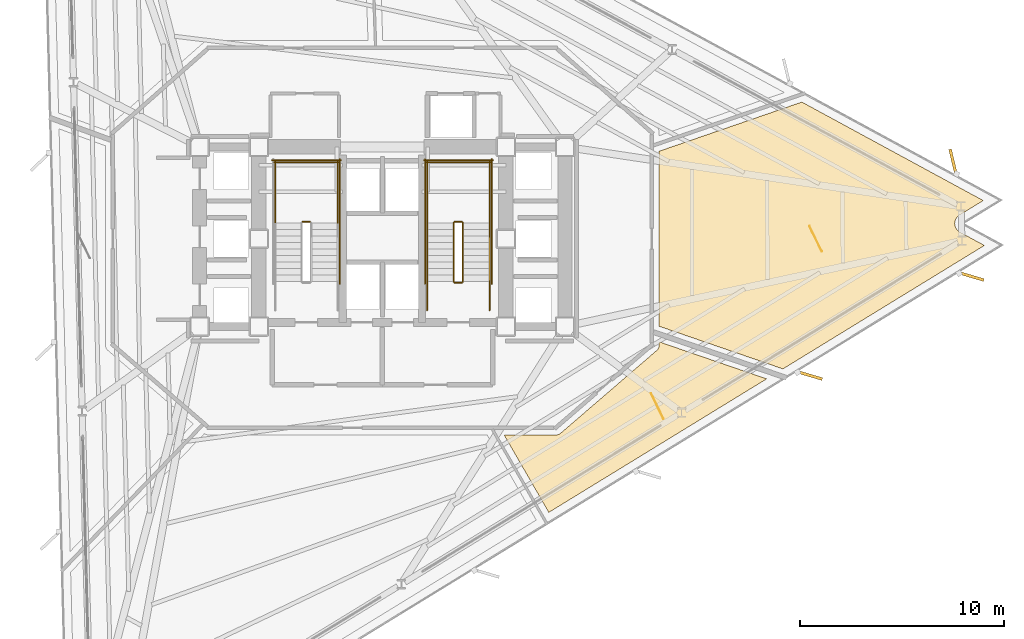
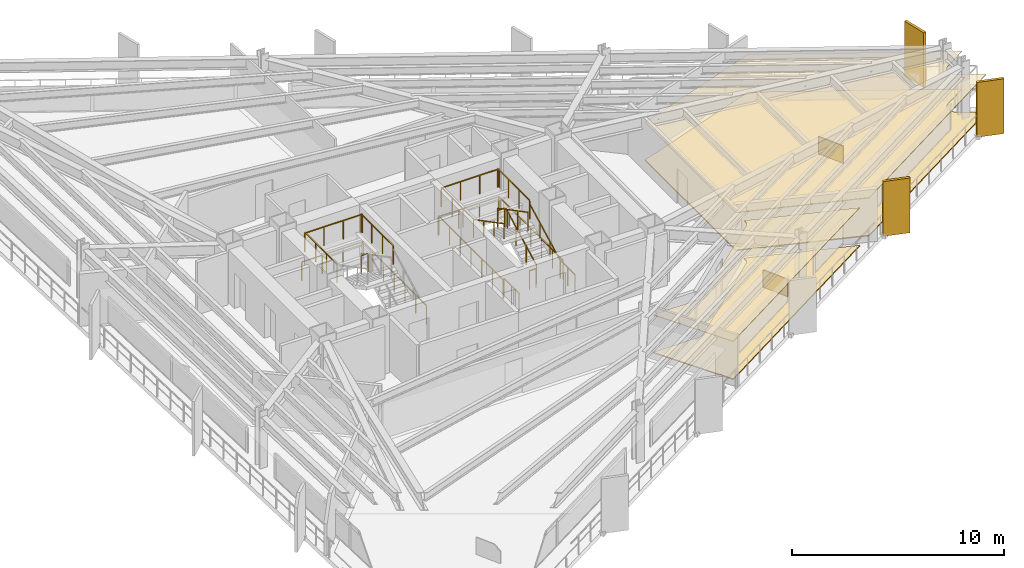
# One storey, part 13 of 14: 20 railings, 6 coverings, 3 shading devices.
"""IFC4 building model written with IfcOpenShell, lengths in metres."""

from ifc_helpers import new_model, si_unit, direction, frame, origin, origin_2d, place, context, subcontext, project, spatial, polyline, rectangle, outline, extrude, material, layer, layer_set, type_object, element, save


model = new_model("IFC4")

# Units and contexts
model_context = context("Model", 3, precision=1e-05, world=origin(), true_north=direction((0.0, 1.0)))
body_context = subcontext(model_context, "Body", "Model", "MODEL_VIEW")
ifc_project = project(units=[si_unit("LENGTHUNIT", "METRE"), si_unit("AREAUNIT", "SQUARE_METRE"), si_unit("VOLUMEUNIT", "CUBIC_METRE"), si_unit("PLANEANGLEUNIT", "RADIAN"), si_unit("MASSUNIT", "GRAM", prefix="KILO")], contexts=[model_context])

# Site, building, storey
site_placement = place(None, origin())
site = spatial("IfcSite", under=ifc_project, at=site_placement, CompositionType="ELEMENT")
building_placement = place(site_placement, origin())
building = spatial("IfcBuilding", under=site, at=building_placement, Name="Rocaltana Carrier Exchange", CompositionType="ELEMENT")
storey_placement = place(building_placement, frame((0.0, 0.0, 42.39990234375)))
storey = spatial("IfcBuildingStorey", under=building, at=storey_placement, Name="L13", CompositionType="ELEMENT", Elevation=42.39990234375)

# Coverings
ifc_material_1 = material(Name="Calcium Sulphate & Aluminium Pedestal", Category="aluminium")
ifc_layer_1 = layer(ifc_material_1, 0.06005859375)
ifc_layer_set_1 = layer_set([ifc_layer_1], Name="Calcium Sulphate & Aluminium Pedestal")
covering_type_1 = type_object("IfcCoveringType", Name="Anti-Static Raised Exchange Access Floor 60", PredefinedType="FLOORING", material=ifc_layer_set_1)
covering_1_placement = place(storey_placement, origin())
element("IfcCovering", 1, at=covering_1_placement, inside=storey, type_object=covering_type_1, Name="L13 Cloud Architecture Office Finish Floor", PredefinedType="FLOORING", context=body_context, shape_type="SweptSolid", body=[
    extrude(outline(polyline([(8.152587890625, -13.40087890625), (5.964111328125, -9.610107421875), (8.5, -9.610107421875), (8.51416015625, -9.609619140625), (8.522216796875, -9.609130859375), (8.550537109375, -9.606201171875), (8.55859375, -9.60498046875), (8.58642578125, -9.599365234375), (8.594482421875, -9.597412109375), (8.62158203125, -9.5888671875), (8.629150390625, -9.5859375), (8.6552734375, -9.57470703125), (8.66259765625, -9.571044921875), (8.6875, -9.557373046875), (8.6943359375, -9.552978515625), (8.717529296875, -9.53662109375), (8.72412109375, -9.53173828125), (8.735107421875, -9.522705078125), (13.43505859375, -5.47265625), (13.44482421875, -5.4638671875), (13.450439453125, -5.45849609375), (13.468994140625, -5.439208984375), (13.47412109375, -5.433349609375), (13.490478515625, -5.41259765625), (13.4951171875, -5.40625), (13.509521484375, -5.3837890625), (13.51318359375, -5.377197265625), (13.525634765625, -5.353515625), (13.52880859375, -5.346435546875), (13.538818359375, -5.32177734375), (13.541259765625, -5.314453125), (13.548828125, -5.288818359375), (13.550537109375, -5.281494140625), (13.5556640625, -5.255126953125), (13.556884765625, -5.24755859375), (13.559326171875, -5.220947265625), (13.559814453125, -5.21337890625), (13.56005859375, -5.199951171875), (13.56005859375, -5.0498046875), (18.822998046875, -6.862060546875), (8.152587890625, -13.40087890625)])), origin(), (0.0, 0.0, 1.0), 0.06005859375),
])
covering_2_placement = place(storey_placement, origin())
element("IfcCovering", 2, at=covering_2_placement, inside=storey, type_object=covering_type_1, Name="L13 Optical Switching Laboratory Finish Floor", PredefinedType="FLOORING", context=body_context, shape_type="SweptSolid", body=[
    extrude(outline(polyline([(29.427490234375, 1.87109375), (28.260498046875, 1.156005859375), (28.248779296875, 1.148193359375), (28.232421875, 1.136962890625), (28.210205078125, 1.1201171875), (28.19482421875, 1.107421875), (28.17431640625, 1.08837890625), (28.160400390625, 1.073974609375), (28.14208984375, 1.052978515625), (28.129638671875, 1.03759765625), (28.11328125, 1.014892578125), (28.1025390625, 0.998046875), (28.088623046875, 0.973876953125), (28.07958984375, 0.9560546875), (28.068115234375, 0.9306640625), (28.060791015625, 0.912109375), (28.052001953125, 0.885498046875), (28.046630859375, 0.866455078125), (28.04052734375, 0.839111328125), (28.037109375, 0.819580078125), (28.03369140625, 0.791748046875), (28.031982421875, 0.77197265625), (28.031494140625, 0.743896484375), (28.031982421875, 0.72412109375), (28.0341796875, 0.6962890625), (28.03662109375, 0.676513671875), (28.04150390625, 0.64892578125), (28.0458984375, 0.629638671875), (28.053466796875, 0.602783203125), (28.059814453125, 0.583740234375), (28.070068359375, 0.557861328125), (28.078369140625, 0.539794921875), (28.091064453125, 0.514892578125), (28.10107421875, 0.49755859375), (28.1162109375, 0.47412109375), (28.1279296875, 0.4580078125), (28.1455078125, 0.436279296875), (28.15869140625, 0.421142578125), (28.177978515625, 0.4013671875), (28.192626953125, 0.3876953125), (28.214111328125, 0.369873046875), (28.22998046875, 0.35791015625), (28.253173828125, 0.342041015625), (28.270263671875, 0.331787109375), (28.2822265625, 0.32470703125), (29.485107421875, -0.328369140625), (19.61865234375, -6.37451171875), (13.56005859375, -4.288330078125), (13.56005859375, 4.288330078125), (20.54541015625, 6.693603515625), (29.427490234375, 1.87109375)])), origin(), (0.0, 0.0, 1.0), 0.06005859375),
])
ifc_material_2 = material(Name="Mineral Fibre & Powder-Coated Aluminium", Category="aluminium")
ifc_layer_2 = layer(ifc_material_2, 0.044921875)
ifc_layer_set_2 = layer_set([ifc_layer_2], Name="Mineral Fibre & Powder-Coated Aluminium")
covering_type_2 = type_object("IfcCoveringType", Name="Micro-Perforated Acoustic Ceiling 45", PredefinedType="CEILING", material=ifc_layer_set_2)
covering_3_placement = place(storey_placement, frame((0.0, 0.0, 2.18310546875)))
element("IfcCovering", 3, at=covering_3_placement, inside=storey, type_object=covering_type_2, Name="L13 Cloud Architecture Office Acoustic Ceiling", PredefinedType="CEILING", context=body_context, shape_type="SweptSolid", body=[
    extrude(outline(polyline([(8.152587890625, -13.40087890625), (5.964111328125, -9.610107421875), (8.5, -9.610107421875), (8.51416015625, -9.609619140625), (8.522216796875, -9.609130859375), (8.550537109375, -9.606201171875), (8.55859375, -9.60498046875), (8.58642578125, -9.599365234375), (8.594482421875, -9.597412109375), (8.62158203125, -9.5888671875), (8.629150390625, -9.5859375), (8.6552734375, -9.57470703125), (8.66259765625, -9.571044921875), (8.6875, -9.557373046875), (8.6943359375, -9.552978515625), (8.717529296875, -9.53662109375), (8.72412109375, -9.53173828125), (8.735107421875, -9.522705078125), (13.43505859375, -5.47265625), (13.44482421875, -5.4638671875), (13.450439453125, -5.45849609375), (13.468994140625, -5.439208984375), (13.47412109375, -5.433349609375), (13.490478515625, -5.41259765625), (13.4951171875, -5.40625), (13.509521484375, -5.3837890625), (13.51318359375, -5.377197265625), (13.525634765625, -5.353515625), (13.52880859375, -5.346435546875), (13.538818359375, -5.32177734375), (13.541259765625, -5.314453125), (13.548828125, -5.288818359375), (13.550537109375, -5.281494140625), (13.5556640625, -5.255126953125), (13.556884765625, -5.24755859375), (13.559326171875, -5.220947265625), (13.559814453125, -5.21337890625), (13.56005859375, -5.199951171875), (13.56005859375, -5.0498046875), (18.822998046875, -6.862060546875), (8.152587890625, -13.40087890625)])), origin(), (0.0, 0.0, 1.0), 0.044921875),
])
covering_4_placement = place(storey_placement, frame((0.0, 0.0, 2.18310546875)))
element("IfcCovering", 4, at=covering_4_placement, inside=storey, type_object=covering_type_2, Name="L13 Optical Switching Laboratory Acoustic Ceiling", PredefinedType="CEILING", context=body_context, shape_type="SweptSolid", body=[
    extrude(outline(polyline([(29.427490234375, 1.87109375), (28.260498046875, 1.156005859375), (28.248779296875, 1.148193359375), (28.232421875, 1.136962890625), (28.210205078125, 1.1201171875), (28.19482421875, 1.107421875), (28.17431640625, 1.08837890625), (28.160400390625, 1.073974609375), (28.14208984375, 1.052978515625), (28.129638671875, 1.03759765625), (28.11328125, 1.014892578125), (28.1025390625, 0.998046875), (28.088623046875, 0.973876953125), (28.07958984375, 0.9560546875), (28.068115234375, 0.9306640625), (28.060791015625, 0.912109375), (28.052001953125, 0.885498046875), (28.046630859375, 0.866455078125), (28.04052734375, 0.839111328125), (28.037109375, 0.819580078125), (28.03369140625, 0.791748046875), (28.031982421875, 0.77197265625), (28.031494140625, 0.743896484375), (28.031982421875, 0.72412109375), (28.0341796875, 0.6962890625), (28.03662109375, 0.676513671875), (28.04150390625, 0.64892578125), (28.0458984375, 0.629638671875), (28.053466796875, 0.602783203125), (28.059814453125, 0.583740234375), (28.070068359375, 0.557861328125), (28.078369140625, 0.539794921875), (28.091064453125, 0.514892578125), (28.10107421875, 0.49755859375), (28.1162109375, 0.47412109375), (28.1279296875, 0.4580078125), (28.1455078125, 0.436279296875), (28.15869140625, 0.421142578125), (28.177978515625, 0.4013671875), (28.192626953125, 0.3876953125), (28.214111328125, 0.369873046875), (28.22998046875, 0.35791015625), (28.253173828125, 0.342041015625), (28.270263671875, 0.331787109375), (28.2822265625, 0.32470703125), (29.485107421875, -0.328369140625), (19.61865234375, -6.37451171875), (13.56005859375, -4.288330078125), (13.56005859375, 4.288330078125), (20.54541015625, 6.693603515625), (29.427490234375, 1.87109375)])), origin(), (0.0, 0.0, 1.0), 0.044921875),
])

# Railings
ifc_material_3 = material(Name="Brushed Architectural Stainless Tube", Category="steel")
ifc_layer_3 = layer(ifc_material_3, 0.048095703125)
ifc_layer_set_3 = layer_set([ifc_layer_3], Name="Brushed Architectural Stainless Tube")
railing_type_1 = type_object("IfcRailingType", Name="Stair Wall Handrail 920", PredefinedType="HANDRAIL", material=ifc_layer_set_3)
railing_1_placement = place(storey_placement, frame((5.25, -2.10009765625, 0.168212890625)))
element("IfcRailing", 5, at=railing_1_placement, inside=storey, type_object=railing_type_1, Name="L13 ST-2 stair handrail 1", PredefinedType="HANDRAIL", context=body_context, shape_type="SweptSolid", body=[
    extrude(rectangle(XDim=0.048095703125, YDim=0.048095703125, at=origin_2d()), frame((0.0, 0.0, 0.8759765625), z_axis=(0.0, 0.885411030485, 0.464808893091), x_axis=(-1.0, 0.0, 0.0)), (0.0, 0.0, 1.0), 3.2529296875),
    extrude(rectangle(XDim=0.0419921875, YDim=0.0419921875, at=origin_2d()), origin(), (0.0, 0.0, 1.0), 0.851806640625),
    extrude(rectangle(XDim=0.0419921875, YDim=0.0419921875, at=origin_2d()), frame((0.0, 0.9599609375, 0.50390625)), (0.0, 0.0, 1.0), 0.851806640625),
    extrude(rectangle(XDim=0.0419921875, YDim=0.0419921875, at=origin_2d()), frame((0.0, 1.920166015625, 1.008056640625)), (0.0, 0.0, 1.0), 0.851806640625),
    extrude(rectangle(XDim=0.0419921875, YDim=0.0419921875, at=origin_2d()), frame((0.0, 2.880126953125, 1.511962890625)), (0.0, 0.0, 1.0), 0.851806640625),
])
railing_2_placement = place(storey_placement, frame((2.18994140625, 0.780029296875, 1.84814453125)))
element("IfcRailing", 6, at=railing_2_placement, inside=storey, type_object=railing_type_1, Name="L13 ST-2 stair handrail 2", PredefinedType="HANDRAIL", context=body_context, shape_type="SweptSolid", body=[
    extrude(rectangle(XDim=0.048095703125, YDim=0.048095703125, at=origin_2d()), frame((0.0, 0.0, 0.8759765625), z_axis=(0.0, -0.885411030485, 0.464808893091), x_axis=(1.0, 0.0, 0.0)), (0.0, 0.0, 1.0), 3.2529296875),
    extrude(rectangle(XDim=0.0419921875, YDim=0.0419921875, at=origin_2d()), origin(), (0.0, 0.0, 1.0), 0.851806640625),
    extrude(rectangle(XDim=0.0419921875, YDim=0.0419921875, at=origin_2d()), frame((0.0, -0.9599609375, 0.50390625)), (0.0, 0.0, 1.0), 0.851806640625),
    extrude(rectangle(XDim=0.0419921875, YDim=0.0419921875, at=origin_2d()), frame((0.0, -1.920166015625, 1.008056640625)), (0.0, 0.0, 1.0), 0.851806640625),
    extrude(rectangle(XDim=0.0419921875, YDim=0.0419921875, at=origin_2d()), frame((0.0, -2.880126953125, 1.511962890625)), (0.0, 0.0, 1.0), 0.851806640625),
])
ifc_material_4 = material(Name="Powder-Coated Aluminium 6063-T6", Category="aluminium")
ifc_layer_4 = layer(ifc_material_4, 0.048095703125)
ifc_layer_set_4 = layer_set([ifc_layer_4], Name="Powder-Coated Aluminium 6063-T6")
railing_type_2 = type_object("IfcRailingType", Name="Stair Well Guardrail 1100", PredefinedType="GUARDRAIL", material=ifc_layer_set_4)
railing_3_placement = place(storey_placement, frame((-3.5400390625, 0.830078125, 1.68017578125)))
element("IfcRailing", 7, at=railing_3_placement, inside=storey, type_object=railing_type_2, Name="L13 ST-1 stair guard 2", PredefinedType="GUARDRAIL", context=body_context, shape_type="SweptSolid", body=[
    extrude(rectangle(XDim=0.048095703125, YDim=0.048095703125, at=origin_2d()), frame((0.0, 0.0, 1.076171875), z_axis=(-1.0, 0.0, 0.0), x_axis=(0.0, -1.0, 0.0)), (0.0, 0.0, 1.0), 0.35986328125),
    extrude(rectangle(XDim=0.0419921875, YDim=0.0419921875, at=origin_2d()), origin(), (0.0, 0.0, 1.0), 1.052001953125),
    extrude(rectangle(XDim=0.0419921875, YDim=0.0419921875, at=origin_2d()), frame((-0.35986328125, 0.0, 0.0)), (0.0, 0.0, 1.0), 1.052001953125),
])
for number, where, name in (
    (8, (-2.18994140625, 0.780029296875, 1.68017578125), "L13 ST-1 stair guard 3"),
    (9, (-5.25, 0.780029296875, 1.68017578125), "L13 ST-1 stair guard 4"),
):
    element("IfcRailing", number, at=place(storey_placement, frame(where)), inside=storey, type_object=railing_type_2, Name=name, PredefinedType="GUARDRAIL", context=body_context, shape_type="SweptSolid", body=[
        extrude(rectangle(XDim=0.048095703125, YDim=0.048095703125, at=origin_2d()), frame((0.0, 0.0, 1.076171875), z_axis=(0.0, 1.0, 0.0), x_axis=(-1.0, 0.0, 0.0)), (0.0, 0.0, 1.0), 3.02001953125),
        extrude(rectangle(XDim=0.0419921875, YDim=0.0419921875, at=origin_2d()), origin(), (0.0, 0.0, 1.0), 1.052001953125),
        extrude(rectangle(XDim=0.0419921875, YDim=0.0419921875, at=origin_2d()), frame((0.0, 1.006591796875, 0.0)), (0.0, 0.0, 1.0), 1.052001953125),
        extrude(rectangle(XDim=0.0419921875, YDim=0.0419921875, at=origin_2d()), frame((0.0, 2.013427734375, 0.0)), (0.0, 0.0, 1.0), 1.052001953125),
        extrude(rectangle(XDim=0.0419921875, YDim=0.0419921875, at=origin_2d()), frame((0.0, 3.02001953125, 0.0)), (0.0, 0.0, 1.0), 1.052001953125),
    ])
railing_4_placement = place(storey_placement, frame((-2.139892578125, 3.75, 1.68017578125)))
element("IfcRailing", 10, at=railing_4_placement, inside=storey, type_object=railing_type_2, Name="L13 ST-1 stair guard 5", PredefinedType="GUARDRAIL", context=body_context, shape_type="SweptSolid", body=[
    extrude(rectangle(XDim=0.048095703125, YDim=0.048095703125, at=origin_2d()), frame((0.0, 0.0, 1.076171875), z_axis=(-1.0, 0.0, 0.0), x_axis=(0.0, -1.0, 0.0)), (0.0, 0.0, 1.0), 3.16015625),
    extrude(rectangle(XDim=0.0419921875, YDim=0.0419921875, at=origin_2d()), origin(), (0.0, 0.0, 1.0), 1.052001953125),
    extrude(rectangle(XDim=0.0419921875, YDim=0.0419921875, at=origin_2d()), frame((-1.053466796875, 0.0, 0.0)), (0.0, 0.0, 1.0), 1.052001953125),
    extrude(rectangle(XDim=0.0419921875, YDim=0.0419921875, at=origin_2d()), frame((-2.106689453125, 0.0, 0.0)), (0.0, 0.0, 1.0), 1.052001953125),
    extrude(rectangle(XDim=0.0419921875, YDim=0.0419921875, at=origin_2d()), frame((-3.16015625, 0.0, 0.0)), (0.0, 0.0, 1.0), 1.052001953125),
])
railing_5_placement = place(storey_placement, frame((-2.090087890625, -2.199951171875, 0.0)))
element("IfcRailing", 11, at=railing_5_placement, inside=storey, type_object=railing_type_2, Name="L13 ST-1 stair guard 10", PredefinedType="GUARDRAIL", context=body_context, shape_type="SweptSolid", body=[
    extrude(rectangle(XDim=0.048095703125, YDim=0.048095703125, at=origin_2d()), frame((0.0, 0.0, 1.076171875), z_axis=(0.0, 1.0, 0.0), x_axis=(-1.0, 0.0, 0.0)), (0.0, 0.0, 1.0), 6.099853515625),
    extrude(rectangle(XDim=0.0419921875, YDim=0.0419921875, at=origin_2d()), origin(), (0.0, 0.0, 1.0), 1.052001953125),
    extrude(rectangle(XDim=0.0419921875, YDim=0.0419921875, at=origin_2d()), frame((0.0, 1.0166015625, 0.0)), (0.0, 0.0, 1.0), 1.052001953125),
    extrude(rectangle(XDim=0.0419921875, YDim=0.0419921875, at=origin_2d()), frame((0.0, 2.033203125, 0.0)), (0.0, 0.0, 1.0), 1.052001953125),
    extrude(rectangle(XDim=0.0419921875, YDim=0.0419921875, at=origin_2d()), frame((0.0, 3.0498046875, 0.0)), (0.0, 0.0, 1.0), 1.052001953125),
    extrude(rectangle(XDim=0.0419921875, YDim=0.0419921875, at=origin_2d()), frame((0.0, 4.066650390625, 0.0)), (0.0, 0.0, 1.0), 1.052001953125),
    extrude(rectangle(XDim=0.0419921875, YDim=0.0419921875, at=origin_2d()), frame((0.0, 5.083251953125, 0.0)), (0.0, 0.0, 1.0), 1.052001953125),
    extrude(rectangle(XDim=0.0419921875, YDim=0.0419921875, at=origin_2d()), frame((0.0, 6.099853515625, 0.0)), (0.0, 0.0, 1.0), 1.052001953125),
])
railing_6_placement = place(storey_placement, frame((-2.0400390625, 3.85009765625, 0.0)))
element("IfcRailing", 12, at=railing_6_placement, inside=storey, type_object=railing_type_2, Name="L13 ST-1 stair guard 12", PredefinedType="GUARDRAIL", context=body_context, shape_type="SweptSolid", body=[
    extrude(rectangle(XDim=0.048095703125, YDim=0.048095703125, at=origin_2d()), frame((0.0, 0.0, 1.076171875), z_axis=(-1.0, 0.0, 0.0), x_axis=(0.0, -1.0, 0.0)), (0.0, 0.0, 1.0), 3.35986328125),
    extrude(rectangle(XDim=0.0419921875, YDim=0.0419921875, at=origin_2d()), origin(), (0.0, 0.0, 1.0), 1.052001953125),
    extrude(rectangle(XDim=0.0419921875, YDim=0.0419921875, at=origin_2d()), frame((-1.119873046875, 0.0, 0.0)), (0.0, 0.0, 1.0), 1.052001953125),
    extrude(rectangle(XDim=0.0419921875, YDim=0.0419921875, at=origin_2d()), frame((-2.239990234375, 0.0, 0.0)), (0.0, 0.0, 1.0), 1.052001953125),
    extrude(rectangle(XDim=0.0419921875, YDim=0.0419921875, at=origin_2d()), frame((-3.35986328125, 0.0, 0.0)), (0.0, 0.0, 1.0), 1.052001953125),
])
railing_7_placement = place(storey_placement, frame((3.949951171875, -2.10009765625, 0.168212890625)))
element("IfcRailing", 13, at=railing_7_placement, inside=storey, type_object=railing_type_2, Name="L13 ST-2 stair guard 1", PredefinedType="GUARDRAIL", context=body_context, shape_type="SweptSolid", body=[
    extrude(rectangle(XDim=0.048095703125, YDim=0.048095703125, at=origin_2d()), frame((0.0, 0.0, 1.076171875), z_axis=(0.0, 0.885411030485, 0.464808893091), x_axis=(-1.0, 0.0, 0.0)), (0.0, 0.0, 1.0), 3.2529296875),
    extrude(rectangle(XDim=0.0419921875, YDim=0.0419921875, at=origin_2d()), origin(), (0.0, 0.0, 1.0), 1.052001953125),
    extrude(rectangle(XDim=0.0419921875, YDim=0.0419921875, at=origin_2d()), frame((0.0, 0.9599609375, 0.50390625)), (0.0, 0.0, 1.0), 1.052001953125),
    extrude(rectangle(XDim=0.0419921875, YDim=0.0419921875, at=origin_2d()), frame((0.0, 1.920166015625, 1.008056640625)), (0.0, 0.0, 1.0), 1.052001953125),
    extrude(rectangle(XDim=0.0419921875, YDim=0.0419921875, at=origin_2d()), frame((0.0, 2.880126953125, 1.511962890625)), (0.0, 0.0, 1.0), 1.052001953125),
])
railing_8_placement = place(storey_placement, frame((3.89990234375, 0.830078125, 1.68017578125)))
element("IfcRailing", 14, at=railing_8_placement, inside=storey, type_object=railing_type_2, Name="L13 ST-2 stair guard 2", PredefinedType="GUARDRAIL", context=body_context, shape_type="SweptSolid", body=[
    extrude(rectangle(XDim=0.048095703125, YDim=0.048095703125, at=origin_2d()), frame((0.0, 0.0, 1.076171875), z_axis=(-1.0, 0.0, 0.0), x_axis=(0.0, -1.0, 0.0)), (0.0, 0.0, 1.0), 0.35986328125),
    extrude(rectangle(XDim=0.0419921875, YDim=0.0419921875, at=origin_2d()), origin(), (0.0, 0.0, 1.0), 1.052001953125),
    extrude(rectangle(XDim=0.0419921875, YDim=0.0419921875, at=origin_2d()), frame((-0.35986328125, 0.0, 0.0)), (0.0, 0.0, 1.0), 1.052001953125),
])
for number, where, name in (
    (15, (5.25, 0.780029296875, 1.68017578125), "L13 ST-2 stair guard 3"),
    (16, (2.18994140625, 0.780029296875, 1.68017578125), "L13 ST-2 stair guard 4"),
):
    element("IfcRailing", number, at=place(storey_placement, frame(where)), inside=storey, type_object=railing_type_2, Name=name, PredefinedType="GUARDRAIL", context=body_context, shape_type="SweptSolid", body=[
        extrude(rectangle(XDim=0.048095703125, YDim=0.048095703125, at=origin_2d()), frame((0.0, 0.0, 1.076171875), z_axis=(0.0, 1.0, 0.0), x_axis=(-1.0, 0.0, 0.0)), (0.0, 0.0, 1.0), 3.02001953125),
        extrude(rectangle(XDim=0.0419921875, YDim=0.0419921875, at=origin_2d()), origin(), (0.0, 0.0, 1.0), 1.052001953125),
        extrude(rectangle(XDim=0.0419921875, YDim=0.0419921875, at=origin_2d()), frame((0.0, 1.006591796875, 0.0)), (0.0, 0.0, 1.0), 1.052001953125),
        extrude(rectangle(XDim=0.0419921875, YDim=0.0419921875, at=origin_2d()), frame((0.0, 2.013427734375, 0.0)), (0.0, 0.0, 1.0), 1.052001953125),
        extrude(rectangle(XDim=0.0419921875, YDim=0.0419921875, at=origin_2d()), frame((0.0, 3.02001953125, 0.0)), (0.0, 0.0, 1.0), 1.052001953125),
    ])
railing_9_placement = place(storey_placement, frame((5.300048828125, 3.75, 1.68017578125)))
element("IfcRailing", 17, at=railing_9_placement, inside=storey, type_object=railing_type_2, Name="L13 ST-2 stair guard 5", PredefinedType="GUARDRAIL", context=body_context, shape_type="SweptSolid", body=[
    extrude(rectangle(XDim=0.048095703125, YDim=0.048095703125, at=origin_2d()), frame((0.0, 0.0, 1.076171875), z_axis=(-1.0, 0.0, 0.0), x_axis=(0.0, -1.0, 0.0)), (0.0, 0.0, 1.0), 3.16015625),
    extrude(rectangle(XDim=0.0419921875, YDim=0.0419921875, at=origin_2d()), origin(), (0.0, 0.0, 1.0), 1.052001953125),
    extrude(rectangle(XDim=0.0419921875, YDim=0.0419921875, at=origin_2d()), frame((-1.053466796875, 0.0, 0.0)), (0.0, 0.0, 1.0), 1.052001953125),
    extrude(rectangle(XDim=0.0419921875, YDim=0.0419921875, at=origin_2d()), frame((-2.106689453125, 0.0, 0.0)), (0.0, 0.0, 1.0), 1.052001953125),
    extrude(rectangle(XDim=0.0419921875, YDim=0.0419921875, at=origin_2d()), frame((-3.16015625, 0.0, 0.0)), (0.0, 0.0, 1.0), 1.052001953125),
])
railing_10_placement = place(storey_placement, frame((3.489990234375, 0.780029296875, 1.84814453125)))
element("IfcRailing", 18, at=railing_10_placement, inside=storey, type_object=railing_type_2, Name="L13 ST-2 stair guard 6", PredefinedType="GUARDRAIL", context=body_context, shape_type="SweptSolid", body=[
    extrude(rectangle(XDim=0.048095703125, YDim=0.048095703125, at=origin_2d()), frame((0.0, 0.0, 1.076171875), z_axis=(0.0, -0.885411030485, 0.464808893091), x_axis=(1.0, 0.0, 0.0)), (0.0, 0.0, 1.0), 3.2529296875),
    extrude(rectangle(XDim=0.0419921875, YDim=0.0419921875, at=origin_2d()), origin(), (0.0, 0.0, 1.0), 1.052001953125),
    extrude(rectangle(XDim=0.0419921875, YDim=0.0419921875, at=origin_2d()), frame((0.0, -0.9599609375, 0.50390625)), (0.0, 0.0, 1.0), 1.052001953125),
    extrude(rectangle(XDim=0.0419921875, YDim=0.0419921875, at=origin_2d()), frame((0.0, -1.920166015625, 1.008056640625)), (0.0, 0.0, 1.0), 1.052001953125),
    extrude(rectangle(XDim=0.0419921875, YDim=0.0419921875, at=origin_2d()), frame((0.0, -2.880126953125, 1.511962890625)), (0.0, 0.0, 1.0), 1.052001953125),
])
railing_11_placement = place(storey_placement, frame((3.89990234375, -2.14990234375, 0.0)))
element("IfcRailing", 19, at=railing_11_placement, inside=storey, type_object=railing_type_2, Name="L13 ST-2 stair guard 7", PredefinedType="GUARDRAIL", context=body_context, shape_type="SweptSolid", body=[
    extrude(rectangle(XDim=0.048095703125, YDim=0.048095703125, at=origin_2d()), frame((0.0, 0.0, 1.076171875), z_axis=(-1.0, 0.0, 0.0), x_axis=(0.0, -1.0, 0.0)), (0.0, 0.0, 1.0), 0.35986328125),
    extrude(rectangle(XDim=0.0419921875, YDim=0.0419921875, at=origin_2d()), origin(), (0.0, 0.0, 1.0), 1.052001953125),
    extrude(rectangle(XDim=0.0419921875, YDim=0.0419921875, at=origin_2d()), frame((-0.35986328125, 0.0, 0.0)), (0.0, 0.0, 1.0), 1.052001953125),
])
for number, where, name in (
    (20, (5.25, -3.5, 0.0), "L13 ST-2 stair guard 8"),
    (21, (2.18994140625, -3.5, 0.0), "L13 ST-2 stair guard 9"),
):
    element("IfcRailing", number, at=place(storey_placement, frame(where)), inside=storey, type_object=railing_type_2, Name=name, PredefinedType="GUARDRAIL", context=body_context, shape_type="SweptSolid", body=[
        extrude(rectangle(XDim=0.048095703125, YDim=0.048095703125, at=origin_2d()), frame((0.0, 0.0, 1.076171875), z_axis=(0.0, 1.0, 0.0), x_axis=(-1.0, 0.0, 0.0)), (0.0, 0.0, 1.0), 1.39990234375),
        extrude(rectangle(XDim=0.0419921875, YDim=0.0419921875, at=origin_2d()), origin(), (0.0, 0.0, 1.0), 1.052001953125),
        extrude(rectangle(XDim=0.0419921875, YDim=0.0419921875, at=origin_2d()), frame((0.0, 0.699951171875, 0.0)), (0.0, 0.0, 1.0), 1.052001953125),
        extrude(rectangle(XDim=0.0419921875, YDim=0.0419921875, at=origin_2d()), frame((0.0, 1.39990234375, 0.0)), (0.0, 0.0, 1.0), 1.052001953125),
    ])
for number, where, name in (
    (22, (5.35009765625, -2.199951171875, 0.0), "L13 ST-2 stair guard 10"),
    (23, (2.090087890625, -2.199951171875, 0.0), "L13 ST-2 stair guard 11"),
):
    element("IfcRailing", number, at=place(storey_placement, frame(where)), inside=storey, type_object=railing_type_2, Name=name, PredefinedType="GUARDRAIL", context=body_context, shape_type="SweptSolid", body=[
        extrude(rectangle(XDim=0.048095703125, YDim=0.048095703125, at=origin_2d()), frame((0.0, 0.0, 1.076171875), z_axis=(0.0, 1.0, 0.0), x_axis=(-1.0, 0.0, 0.0)), (0.0, 0.0, 1.0), 6.099853515625),
        extrude(rectangle(XDim=0.0419921875, YDim=0.0419921875, at=origin_2d()), origin(), (0.0, 0.0, 1.0), 1.052001953125),
        extrude(rectangle(XDim=0.0419921875, YDim=0.0419921875, at=origin_2d()), frame((0.0, 1.0166015625, 0.0)), (0.0, 0.0, 1.0), 1.052001953125),
        extrude(rectangle(XDim=0.0419921875, YDim=0.0419921875, at=origin_2d()), frame((0.0, 2.033203125, 0.0)), (0.0, 0.0, 1.0), 1.052001953125),
        extrude(rectangle(XDim=0.0419921875, YDim=0.0419921875, at=origin_2d()), frame((0.0, 3.0498046875, 0.0)), (0.0, 0.0, 1.0), 1.052001953125),
        extrude(rectangle(XDim=0.0419921875, YDim=0.0419921875, at=origin_2d()), frame((0.0, 4.066650390625, 0.0)), (0.0, 0.0, 1.0), 1.052001953125),
        extrude(rectangle(XDim=0.0419921875, YDim=0.0419921875, at=origin_2d()), frame((0.0, 5.083251953125, 0.0)), (0.0, 0.0, 1.0), 1.052001953125),
        extrude(rectangle(XDim=0.0419921875, YDim=0.0419921875, at=origin_2d()), frame((0.0, 6.099853515625, 0.0)), (0.0, 0.0, 1.0), 1.052001953125),
    ])
railing_12_placement = place(storey_placement, frame((5.39990234375, 3.85009765625, 0.0)))
element("IfcRailing", 24, at=railing_12_placement, inside=storey, type_object=railing_type_2, Name="L13 ST-2 stair guard 12", PredefinedType="GUARDRAIL", context=body_context, shape_type="SweptSolid", body=[
    extrude(rectangle(XDim=0.048095703125, YDim=0.048095703125, at=origin_2d()), frame((0.0, 0.0, 1.076171875), z_axis=(-1.0, 0.0, 0.0), x_axis=(0.0, -1.0, 0.0)), (0.0, 0.0, 1.0), 3.35986328125),
    extrude(rectangle(XDim=0.0419921875, YDim=0.0419921875, at=origin_2d()), origin(), (0.0, 0.0, 1.0), 1.052001953125),
    extrude(rectangle(XDim=0.0419921875, YDim=0.0419921875, at=origin_2d()), frame((-1.119873046875, 0.0, 0.0)), (0.0, 0.0, 1.0), 1.052001953125),
    extrude(rectangle(XDim=0.0419921875, YDim=0.0419921875, at=origin_2d()), frame((-2.239990234375, 0.0, 0.0)), (0.0, 0.0, 1.0), 1.052001953125),
    extrude(rectangle(XDim=0.0419921875, YDim=0.0419921875, at=origin_2d()), frame((-3.35986328125, 0.0, 0.0)), (0.0, 0.0, 1.0), 1.052001953125),
])

# Coverings
ifc_material_5 = material(Name="Honed Piedra Muneca Sandstone", Category="masonry")
ifc_layer_5 = layer(ifc_material_5, 0.034912109375)
ifc_layer_set_5 = layer_set([ifc_layer_5], Name="Honed Piedra Muneca Sandstone")
covering_type_3 = type_object("IfcCoveringType", Name="Stone Facade Cladding 35", PredefinedType="CLADDING", material=ifc_layer_set_5)
for number, where, z_axis, x_axis, name in (
    (25, (13.465576171875, -8.1923828125, 0.0), (0.0, 0.0, 1.0), (-0.438371146789, 0.898794046299, 0.0), "L13 Stone Facade Cladding Panel 3"),
    (26, (21.2216796875, -0.001708984375, 0.0), (0.0, 0.0, 1.0), (-0.438371146789, 0.898794046299, 0.0), "L13 Stone Facade Cladding Panel 4"),
):
    element("IfcCovering", number, at=place(storey_placement, frame(where, z_axis=z_axis, x_axis=x_axis)), inside=storey, type_object=covering_type_3, Name=name, PredefinedType="CLADDING", context=body_context, shape_type="SweptSolid", body=[
        extrude(rectangle(XDim=1.39990234375, YDim=0.034912109375, at=origin_2d()), origin(), (0.0, 0.0, 1.0), 1.050048828125),
    ])

# Shading devices
ifc_material_6 = material(Name="Honed Bogota Sandstone & Concrete C45/55", Category="masonry")
ifc_layer_6 = layer(ifc_material_6, 0.139892578125)
ifc_layer_set_6 = layer_set([ifc_layer_6], Name="Honed Bogota Sandstone & Concrete C45/55")
shading_device_type = type_object("IfcShadingDeviceType", Name="Vertical Sandstone Shading Fin 1320x140", PredefinedType="USERDEFINED", material=ifc_layer_set_6)
for number, where, z_axis, x_axis, name in (
    (27, (27.95751953125, 3.739501953125, -0.1201171875), (0.0, 0.0, 1.0), (-0.233445363856, 0.972369920398, 0.0), "L13 Sandstone Vertical Fin F1-01"),
    (28, (20.909912109375, -6.6865234375, -0.1201171875), (0.0, 0.0, 1.0), (0.958819734868, -0.284015344704, 0.0), "L13 Sandstone Vertical Fin F3-05"),
    (29, (28.822265625, -1.837646484375, -0.1201171875), (0.0, 0.0, 1.0), (0.958819734868, -0.284015344704, 0.0), "L13 Sandstone Vertical Fin F3-06"),
):
    element("IfcShadingDevice", number, at=place(storey_placement, frame(where, z_axis=z_axis, x_axis=x_axis)), inside=storey, type_object=shading_device_type, Name=name, ObjectType="FIN", PredefinedType="USERDEFINED", context=body_context, shape_type="SweptSolid", body=[
        extrude(rectangle(XDim=1.320068359375, YDim=0.139892578125, at=origin_2d()), origin(), (0.0, 0.0, 1.0), 3.157958984375),
    ])

save(model, "model.ifc")
